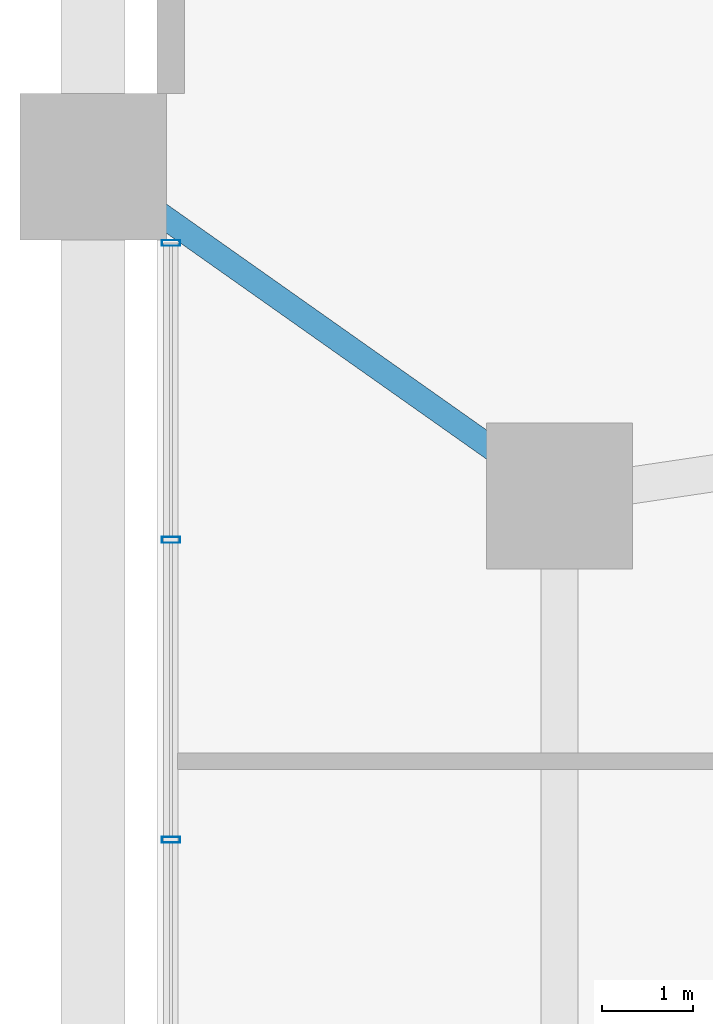
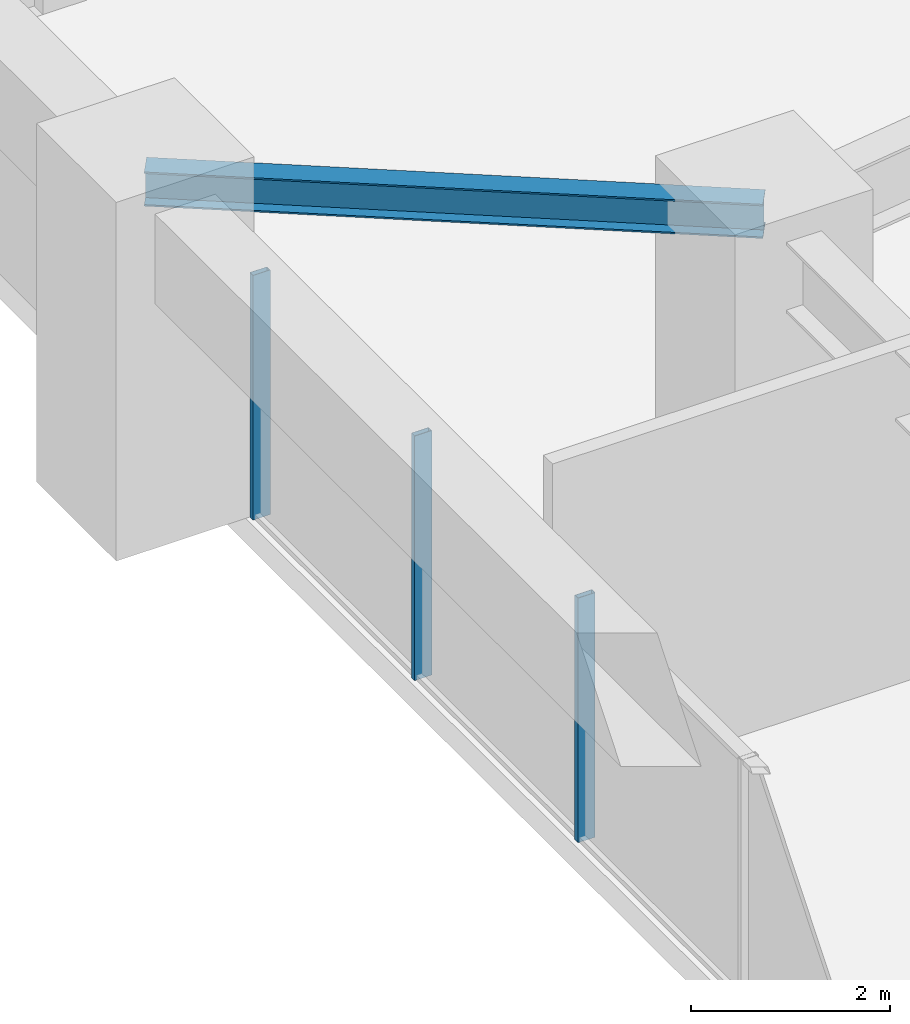
# One storey, part 6 of 16: 3 members, 1 beam, 1 element without a shape of its own.
"""IFC4 building model written with IfcOpenShell, lengths in metres."""

from ifc_helpers import new_model, si_unit, direction, frame, origin, origin_2d, place, context, subcontext, project, spatial, hollow_rectangle, i_section, extrude, source, transform, mapped, material, layer, layer_set, material_profile, profile_set, type_object, element, aggregate, save


model = new_model("IFC4")

# Units and contexts
model_context = context("Model", 3, precision=1e-05, world=origin(), true_north=direction((0.0, 1.0)))
body_context = subcontext(model_context, "Body", "Model", "MODEL_VIEW")
ifc_project = project(units=[si_unit("LENGTHUNIT", "METRE"), si_unit("AREAUNIT", "SQUARE_METRE"), si_unit("VOLUMEUNIT", "CUBIC_METRE"), si_unit("PLANEANGLEUNIT", "RADIAN"), si_unit("MASSUNIT", "GRAM", prefix="KILO")], contexts=[model_context])

# Site, building, storey
site_placement = place(None, origin())
site = spatial("IfcSite", under=ifc_project, at=site_placement, CompositionType="ELEMENT")
building_placement = place(site_placement, origin())
building = spatial("IfcBuilding", under=site, at=building_placement, Name="Veraguas Prism Commons", CompositionType="ELEMENT")
storey_placement = place(building_placement, frame((0.0, 0.0, 14.0)))
storey = spatial("IfcBuildingStorey", under=building, at=storey_placement, Name="L03", CompositionType="ELEMENT", Elevation=14.0)

# Beam
ifc_material_1 = material(Name="Steel ASTM A992 Grade 50", Category="steel")
ifc_material_profile_1 = material_profile(ifc_material_1, i_section(OverallWidth=0.260986328125, OverallDepth=0.419921875, WebThickness=0.01171875, FlangeThickness=0.019287109375, at=origin_2d()), Name="W410X114")
ifc_profile_set_1 = profile_set([ifc_material_profile_1], Name="Steel ASTM A992 Grade 50")
beam_type = type_object("IfcBeamType", Name="Lower Floor Joist W410x114", PredefinedType="JOIST", material=ifc_profile_set_1)
beam_placement = place(storey_placement, frame((6.39990234375, 29.39990234375, 3.889892578125), z_axis=(-0.816952688962, 0.576704693927, 0.0), x_axis=(-0.576704693927, -0.816952688962, 0.0)))
element("IfcBeam", 1, at=beam_placement, inside=storey, type_object=beam_type, Name="Podium Tie Beam L03-TMT05", PredefinedType="JOIST", context=body_context, shape_type="SweptSolid", body=[
    extrude(i_section(OverallWidth=0.260986328125, OverallDepth=0.419921875, WebThickness=0.01171875, FlangeThickness=0.019287109375, at=origin_2d()), origin(), (0.0, 0.0, 1.0), 6.242431640625),
])

# Curtain wall, members
ifc_material_2 = material(Name="Anodised aluminium EN AW-6063 T6", Category="aluminium")
ifc_layer = layer(ifc_material_2, 0.199951171875, Name="Metro Concourse Structural Glazing", Category="aluminium")
ifc_layer_set = layer_set([ifc_layer], Name="Anodised aluminium EN AW-6063 T6")
curtain_wall_type = type_object("IfcCurtainWallType", Name="Metro Concourse Structural Glazing", PredefinedType="NOTDEFINED", material=ifc_layer_set)
curtain_wall_placement = place(storey_placement, origin())
curtain_wall = element("IfcCurtainWall", 2, at=curtain_wall_placement, inside=storey, type_object=curtain_wall_type, Name="Via Espana Metro Concourse Curtain Wall L03-W02", PredefinedType="NOTDEFINED")
ifc_material_profile_2 = material_profile(ifc_material_2, hollow_rectangle(XDim=0.06494140625, YDim=0.199951171875, WallThickness=0.00390625, at=origin_2d()), Name="AL65X200X4")
ifc_profile_set_2 = profile_set([ifc_material_profile_2], Name="Anodised aluminium EN AW-6063 T6")
member_type = type_object("IfcMemberType", Name="Curtain Wall Mullion Heavy AL 65x200x4", PredefinedType="MULLION", material=ifc_profile_set_2)
shared_shape = source(origin(), body_context, "Body", "SweptSolid", [
    extrude(hollow_rectangle(XDim=0.06494140625, YDim=0.199951171875, WallThickness=0.00390625, at=origin_2d()), origin(), (0.0, 0.0, 1.0), 3.0),
])
member_1_placement = place(storey_placement, frame((2.14990234375, 32.16748046875, 0.0), z_axis=(0.0, 0.0, 1.0), x_axis=(0.0, -1.0, 0.0)))
member_1 = element("IfcMember", 3, at=member_1_placement, type_object=member_type, Name="CW-STN Mullion 1", PredefinedType="MULLION", context=body_context, shape_type="MappedRepresentation", body=[
    mapped(shared_shape, transform((0.0, 0.0, 0.0), scale=1.0)),
])
member_2_placement = place(storey_placement, frame((2.14990234375, 28.919921875, 0.0), z_axis=(0.0, 0.0, 1.0), x_axis=(0.0, -1.0, 0.0)))
member_2 = element("IfcMember", 4, at=member_2_placement, type_object=member_type, Name="CW-STN Mullion 2", PredefinedType="MULLION", context=body_context, shape_type="MappedRepresentation", body=[
    mapped(shared_shape, transform((0.0, 0.0, 0.0), scale=1.0)),
])
member_3_placement = place(storey_placement, frame((2.14990234375, 25.639892578125, 0.0), z_axis=(0.0, 0.0, 1.0), x_axis=(0.0, -1.0, 0.0)))
member_3 = element("IfcMember", 5, at=member_3_placement, type_object=member_type, Name="CW-STN Mullion 3", PredefinedType="MULLION", context=body_context, shape_type="MappedRepresentation", body=[
    mapped(shared_shape, transform((0.0, 0.0, 0.0), scale=1.0)),
])
aggregate(curtain_wall, [member_1, member_2, member_3])

save(model, "model.ifc")
